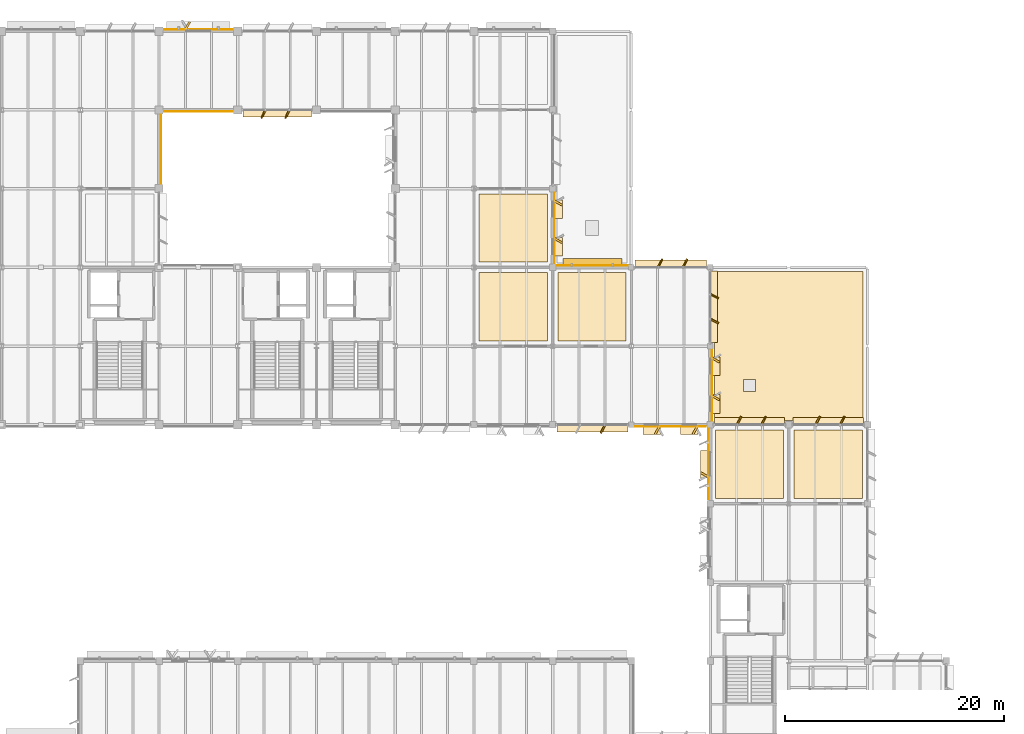
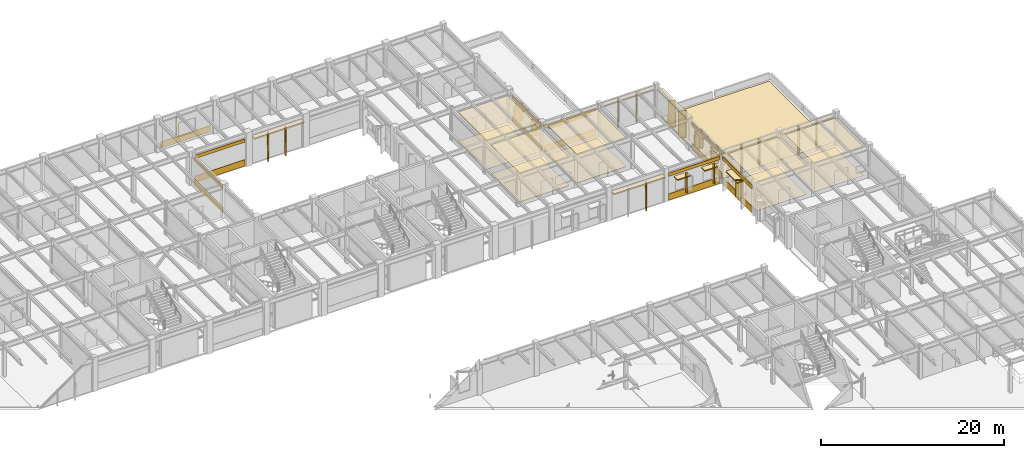
# One storey, part 90 of 92: 58 coverings, 1 shading device.
"""IFC4 building model written with IfcOpenShell, lengths in metres."""

from ifc_helpers import new_model, si_unit, direction, frame, frame_2d, origin, origin_2d, place, context, subcontext, project, spatial, polyline, rectangle, outline, extrude, material, layer, layer_set, type_object, element, save


model = new_model("IFC4")

# Units and contexts
model_context = context("Model", 3, precision=1e-05, world=origin(), true_north=direction((0.0, 1.0)))
body_context = subcontext(model_context, "Body", "Model", "MODEL_VIEW")
ifc_project = project(units=[si_unit("LENGTHUNIT", "METRE"), si_unit("AREAUNIT", "SQUARE_METRE"), si_unit("VOLUMEUNIT", "CUBIC_METRE"), si_unit("PLANEANGLEUNIT", "RADIAN"), si_unit("MASSUNIT", "GRAM", prefix="KILO")], contexts=[model_context])

# Site, building, storey
site_placement = place(None, origin())
site = spatial("IfcSite", under=ifc_project, at=site_placement, CompositionType="ELEMENT")
building_placement = place(site_placement, origin())
building = spatial("IfcBuilding", under=site, at=building_placement, Name="Sillqori Civic Hall", CompositionType="ELEMENT")
storey_placement = place(building_placement, frame((0.0, 0.0, 5.39990234375)))
storey = spatial("IfcBuildingStorey", under=building, at=storey_placement, Name="L02", CompositionType="ELEMENT", Elevation=5.39990234375)

# Coverings
ifc_material_1 = material(Name="Chamber Acoustic Coffer Liner 84", Category="timber")
ifc_layer_1 = layer(ifc_material_1, 0.083984375)
ifc_layer_set_1 = layer_set([ifc_layer_1], Name="Chamber Acoustic Coffer Liner 84")
covering_type_1 = type_object("IfcCoveringType", Name="COV-CEIL-M84", PredefinedType="CEILING", material=ifc_layer_set_1)
covering_1_placement = place(storey_placement, frame((0.0, 0.0, 3.817138671875)))
element("IfcCovering", 1, at=covering_1_placement, inside=storey, type_object=covering_type_1, Name="Environmental Licensing Review Office L02-11 acoustic ceiling", PredefinedType="CEILING", context=body_context, shape_type="SweptSolid", body=[
    extrude(outline(polyline([(108.47998046875, 86.8798828125), (114.719970703125, 86.8798828125), (114.719970703125, 93.1201171875), (108.47998046875, 93.1201171875), (108.47998046875, 86.8798828125)])), origin(), (0.0, 0.0, 1.0), 0.083984375),
])
ifc_material_2 = material(Name="Micro-Perforated Aluminium Plank Ceiling", Category="aluminium")
ifc_layer_2 = layer(ifc_material_2, 0.035888671875)
ifc_layer_set_2 = layer_set([ifc_layer_2], Name="Micro-Perforated Aluminium Plank Ceiling")
covering_type_2 = type_object("IfcCoveringType", Name="COV-CEIL-MET", PredefinedType="CEILING", material=ifc_layer_set_2)
covering_2_placement = place(storey_placement, frame((0.0, 0.0, 3.864990234375)))
element("IfcCovering", 2, at=covering_2_placement, inside=storey, type_object=covering_type_2, Name="Legislative Reference Research Carrels acoustic ceiling", PredefinedType="CEILING", context=body_context, shape_type="SweptSolid", body=[
    extrude(outline(polyline([(130.080078125, 72.47998046875), (136.320068359375, 72.47998046875), (136.320068359375, 78.719970703125), (130.080078125, 78.719970703125), (130.080078125, 72.47998046875)])), origin(), (0.0, 0.0, 1.0), 0.0361328125),
])
ifc_material_3 = material(Name="Andean Cedar Slatted Baffle 52", Category="timber")
ifc_layer_3 = layer(ifc_material_3, 0.052001953125)
ifc_layer_set_3 = layer_set([ifc_layer_3], Name="Andean Cedar Slatted Baffle 52")
covering_type_3 = type_object("IfcCoveringType", Name="COV-CEIL-T52", PredefinedType="CEILING", material=ifc_layer_set_3)
covering_3_placement = place(storey_placement, frame((0.0, 0.0, 3.84912109375)))
element("IfcCovering", 3, at=covering_3_placement, inside=storey, type_object=covering_type_3, Name="Staff Seminar and Civic Training Classroom L02-08 acoustic ceiling", PredefinedType="CEILING", context=body_context, shape_type="SweptSolid", body=[
    extrude(outline(polyline([(101.280029296875, 86.8798828125), (107.52001953125, 86.8798828125), (107.52001953125, 93.1201171875), (101.280029296875, 93.1201171875), (101.280029296875, 86.8798828125)])), origin(), (0.0, 0.0, 1.0), 0.052001953125),
])
ifc_material_4 = material(Name="Andean Cedar Deep Baffle 58", Category="timber")
ifc_layer_4 = layer(ifc_material_4, 0.05810546875)
ifc_layer_set_4 = layer_set([ifc_layer_4], Name="Andean Cedar Deep Baffle 58")
covering_type_4 = type_object("IfcCoveringType", Name="COV-CEIL-T58", PredefinedType="CEILING", material=ifc_layer_set_4)
covering_4_placement = place(storey_placement, frame((0.0, 0.0, 3.843017578125)))
element("IfcCovering", 4, at=covering_4_placement, inside=storey, type_object=covering_type_4, Name="Urban Mobility and Transport Directorate L02-09 acoustic ceiling", PredefinedType="CEILING", context=body_context, shape_type="SweptSolid", body=[
    extrude(outline(polyline([(101.280029296875, 94.080078125), (107.52001953125, 94.080078125), (107.52001953125, 100.320068359375), (101.280029296875, 100.320068359375), (101.280029296875, 94.080078125)])), origin(), (0.0, 0.0, 1.0), 0.05810546875),
])
ifc_material_5 = material(Name="Slatted Andean Cedar Acoustic Baffle", Category="timber")
ifc_layer_5 = layer(ifc_material_5, 0.0419921875)
ifc_layer_set_5 = layer_set([ifc_layer_5], Name="Slatted Andean Cedar Acoustic Baffle")
covering_type_5 = type_object("IfcCoveringType", Name="COV-CEIL-TIM", PredefinedType="CEILING", material=ifc_layer_set_5)
covering_5_placement = place(storey_placement, frame((0.0, 0.0, 3.859130859375)))
element("IfcCovering", 5, at=covering_5_placement, inside=storey, type_object=covering_type_5, Name="Library Open Book Stacks North acoustic ceiling", PredefinedType="CEILING", context=body_context, shape_type="SweptSolid", body=[
    extrude(outline(polyline([(122.8798828125, 72.47998046875), (129.1201171875, 72.47998046875), (129.1201171875, 78.719970703125), (122.8798828125, 78.719970703125), (122.8798828125, 72.47998046875)])), origin(), (0.0, 0.0, 1.0), 0.0419921875),
])
ifc_material_6 = material(Name="Cochabamba Honed Limestone Cladding", Category="masonry")
ifc_layer_6 = layer(ifc_material_6, 0.044921875)
ifc_layer_set_6 = layer_set([ifc_layer_6], Name="Cochabamba Honed Limestone Cladding")
covering_type_6 = type_object("IfcCoveringType", Name="COV-CLAD-LIME", PredefinedType="CLADDING", material=ifc_layer_set_6)
covering_6_placement = place(storey_placement, frame((72.159912109375, 107.544921875, 0.0400390625), z_axis=(0.0, 0.0, 1.0), x_axis=(0.0, -1.0, 0.0)))
element("IfcCovering", 6, at=covering_6_placement, inside=storey, type_object=covering_type_6, Name="L02 limestone spandrel cladding L02-09-14-E", PredefinedType="CLADDING", context=body_context, shape_type="SweptSolid", body=[
    extrude(rectangle(XDim=6.2900390625, YDim=0.044921875, at=frame_2d((3.14501953125, 0.0))), origin(), (0.0, 0.0, 1.0), 0.860107421875),
])
covering_7_placement = place(storey_placement, frame((72.159912109375, 107.544921875, 3.22021484375), z_axis=(0.0, 0.0, 1.0), x_axis=(0.0, -1.0, 0.0)))
element("IfcCovering", 7, at=covering_7_placement, inside=storey, type_object=covering_type_6, Name="L02 limestone frieze cladding L02-09-14-E", PredefinedType="CLADDING", context=body_context, shape_type="SweptSolid", body=[
    extrude(rectangle(XDim=6.2900390625, YDim=0.044921875, at=frame_2d((3.14501953125, 0.0))), origin(), (0.0, 0.0, 1.0), 0.5068359375),
])
covering_8_placement = place(storey_placement, frame((78.7451171875, 107.840087890625, 0.0400390625), z_axis=(0.0, 0.0, 1.0), x_axis=(-1.0, 0.0, 0.0)))
element("IfcCovering", 8, at=covering_8_placement, inside=storey, type_object=covering_type_6, Name="L02 limestone spandrel cladding L02-10-15-S", PredefinedType="CLADDING", context=body_context, shape_type="SweptSolid", body=[
    extrude(rectangle(XDim=6.2900390625, YDim=0.044921875, at=frame_2d((3.14501953125, 0.0))), origin(), (0.0, 0.0, 1.0), 0.860107421875),
])
covering_9_placement = place(storey_placement, frame((78.7451171875, 107.840087890625, 3.22021484375), z_axis=(0.0, 0.0, 1.0), x_axis=(-1.0, 0.0, 0.0)))
element("IfcCovering", 9, at=covering_9_placement, inside=storey, type_object=covering_type_6, Name="L02 limestone frieze cladding L02-10-15-S", PredefinedType="CLADDING", context=body_context, shape_type="SweptSolid", body=[
    extrude(rectangle(XDim=6.2900390625, YDim=0.044921875, at=frame_2d((3.14501953125, 0.0))), origin(), (0.0, 0.0, 1.0), 0.43798828125),
])
covering_10_placement = place(storey_placement, frame((72.455078125, 115.360107421875, 0.0400390625), z_axis=(0.0, 0.0, 1.0), x_axis=(1.0, 0.0, 0.0)))
element("IfcCovering", 10, at=covering_10_placement, inside=storey, type_object=covering_type_6, Name="L02 limestone spandrel cladding L02-10-15-N", PredefinedType="CLADDING", context=body_context, shape_type="SweptSolid", body=[
    extrude(rectangle(XDim=6.2900390625, YDim=0.044921875, at=frame_2d((3.14501953125, 0.0))), origin(), (0.0, 0.0, 1.0), 0.860107421875),
])
covering_11_placement = place(storey_placement, frame((74.3798828125, 115.320068359375, 0.830078125), z_axis=(0.0, 0.0, 1.0), x_axis=(0.500062241894, 0.865989465428, 0.0)))
element("IfcCovering", 11, at=covering_11_placement, inside=storey, type_object=covering_type_6, Name="Sawtooth limestone angled reveal cheek L02-10-15-N.1", PredefinedType="CLADDING", context=body_context, shape_type="SweptSolid", body=[
    extrude(rectangle(XDim=0.85009765625, YDim=0.179931640625, at=frame_2d((0.425048828125, 0.0))), origin(), (0.0, 0.0, 1.0), 2.199951171875),
])
covering_12_placement = place(storey_placement, frame((85.945068359375, 107.679931640625, 3.51806640625), z_axis=(0.0, 0.0, 1.0), x_axis=(-1.0, 0.0, 0.0)))
element("IfcCovering", 12, at=covering_12_placement, inside=storey, type_object=covering_type_6, Name="L02 curtain-wall limestone solar hood L02-11-15-S", PredefinedType="CLADDING", context=body_context, shape_type="SweptSolid", body=[
    extrude(rectangle(XDim=6.2900390625, YDim=0.679931640625, at=frame_2d((3.14501953125, 0.0))), origin(), (0.0, 0.0, 1.0), 0.179931640625),
])
for number, where, z_axis, x_axis, name in (
    (13, (83.896484375, 107.949951171875, 0.06005859375), (0.0, 0.0, 1.0), (-0.44709226377, -0.894487846579, 0.0), "L02 curtain-wall angled stone fin L02-11-15-S.1"),
    (14, (81.70361328125, 107.949951171875, 0.06005859375), (0.0, 0.0, 1.0), (-0.447334902547, -0.894366527193, 0.0), "L02 curtain-wall angled stone fin L02-11-15-S.2"),
):
    element("IfcCovering", number, at=place(storey_placement, frame(where, z_axis=z_axis, x_axis=x_axis)), inside=storey, type_object=covering_type_6, Name=name, PredefinedType="CLADDING", context=body_context, shape_type="SweptSolid", body=[
        extrude(rectangle(XDim=0.804931640625, YDim=0.139892578125, at=frame_2d((0.40234375, 0.0))), origin(), (0.0, 0.0, 1.0), 3.4580078125),
    ])
covering_13_placement = place(storey_placement, frame((108.159912109375, 100.419921875, 0.0400390625), z_axis=(0.0, 0.0, 1.0), x_axis=(0.0, -1.0, 0.0)))
element("IfcCovering", 15, at=covering_13_placement, inside=storey, type_object=covering_type_6, Name="L02 limestone spandrel cladding L02-14-13-E", PredefinedType="CLADDING", context=body_context, shape_type="SweptSolid", body=[
    extrude(rectangle(XDim=6.43994140625, YDim=0.044921875, at=frame_2d((3.219970703125, 0.0))), origin(), (0.0, 0.0, 1.0), 0.860107421875),
])
covering_14_placement = place(storey_placement, frame((108.159912109375, 100.419921875, 3.22021484375), z_axis=(0.0, 0.0, 1.0), x_axis=(0.0, -1.0, 0.0)))
element("IfcCovering", 16, at=covering_14_placement, inside=storey, type_object=covering_type_6, Name="L02 limestone frieze cladding L02-14-13-E", PredefinedType="CLADDING", context=body_context, shape_type="SweptSolid", body=[
    extrude(rectangle(XDim=6.43994140625, YDim=0.044921875, at=frame_2d((3.219970703125, 0.0))), origin(), (0.0, 0.0, 1.0), 0.5068359375),
])
covering_15_placement = place(storey_placement, frame((108.1201171875, 99.7109375, 0.830078125), z_axis=(0.0, 0.0, 1.0), x_axis=(0.865989465428, -0.500062241894, 0.0)))
element("IfcCovering", 17, at=covering_15_placement, inside=storey, type_object=covering_type_6, Name="Sawtooth limestone angled reveal cheek L02-14-13-E.1", PredefinedType="CLADDING", context=body_context, shape_type="SweptSolid", body=[
    extrude(rectangle(XDim=0.85009765625, YDim=0.179931640625, at=frame_2d((0.425048828125, 0.0))), origin(), (0.0, 0.0, 1.0), 2.14990234375),
])
covering_16_placement = place(storey_placement, frame((108.5, 99.77099609375, 2.840087890625), z_axis=(0.0, 0.0, 1.0), x_axis=(0.0, -1.0, 0.0)))
element("IfcCovering", 18, at=covering_16_placement, inside=storey, type_object=covering_type_6, Name="Sawtooth limestone window hood L02-14-13-E.1", PredefinedType="CLADDING", context=body_context, shape_type="SweptSolid", body=[
    extrude(rectangle(XDim=1.7099609375, YDim=0.780029296875, at=frame_2d((0.85498046875, 0.0))), origin(), (0.0, 0.0, 1.0), 0.139892578125),
])
covering_17_placement = place(storey_placement, frame((108.1201171875, 96.279052734375, 0.830078125), z_axis=(0.0, 0.0, 1.0), x_axis=(0.865989465428, -0.500062241894, 0.0)))
element("IfcCovering", 19, at=covering_17_placement, inside=storey, type_object=covering_type_6, Name="Sawtooth limestone angled reveal cheek L02-14-13-E.2", PredefinedType="CLADDING", context=body_context, shape_type="SweptSolid", body=[
    extrude(rectangle(XDim=0.85009765625, YDim=0.179931640625, at=frame_2d((0.425048828125, 0.0))), origin(), (0.0, 0.0, 1.0), 2.14990234375),
])
covering_18_placement = place(storey_placement, frame((108.5, 96.339111328125, 2.840087890625), z_axis=(0.0, 0.0, 1.0), x_axis=(0.0, -1.0, 0.0)))
element("IfcCovering", 20, at=covering_18_placement, inside=storey, type_object=covering_type_6, Name="Sawtooth limestone window hood L02-14-13-E.2", PredefinedType="CLADDING", context=body_context, shape_type="SweptSolid", body=[
    extrude(rectangle(XDim=1.710205078125, YDim=0.780029296875, at=frame_2d((0.85498046875, 0.0))), origin(), (0.0, 0.0, 1.0), 0.139892578125),
])
covering_19_placement = place(storey_placement, frame((114.8701171875, 78.8798828125, 3.51806640625), z_axis=(0.0, 0.0, 1.0), x_axis=(-1.0, 0.0, 0.0)))
element("IfcCovering", 21, at=covering_19_placement, inside=storey, type_object=covering_type_6, Name="L02 curtain-wall limestone solar hood L02-15-11-S", PredefinedType="CLADDING", context=body_context, shape_type="SweptSolid", body=[
    extrude(rectangle(XDim=6.490234375, YDim=0.679931640625, at=frame_2d((3.2451171875, 0.0))), origin(), (0.0, 0.0, 1.0), 0.179931640625),
])
covering_20_placement = place(storey_placement, frame((112.755615234375, 79.14990234375, 0.06005859375), z_axis=(0.0, 0.0, 1.0), x_axis=(-0.447334902547, -0.894366527193, 0.0)))
element("IfcCovering", 22, at=covering_20_placement, inside=storey, type_object=covering_type_6, Name="L02 curtain-wall angled stone fin L02-15-11-S.1", PredefinedType="CLADDING", context=body_context, shape_type="SweptSolid", body=[
    extrude(rectangle(XDim=0.804931640625, YDim=0.139892578125, at=frame_2d((0.40234375, 0.0))), origin(), (0.0, 0.0, 1.0), 3.4580078125),
])
covering_21_placement = place(storey_placement, frame((108.3798828125, 93.760009765625, 0.0400390625), z_axis=(0.0, 0.0, 1.0), x_axis=(1.0, 0.0, 0.0)))
element("IfcCovering", 23, at=covering_21_placement, inside=storey, type_object=covering_type_6, Name="L02 limestone spandrel cladding L02-15-12-N", PredefinedType="CLADDING", context=body_context, shape_type="SweptSolid", body=[
    extrude(rectangle(XDim=6.490234375, YDim=0.044921875, at=frame_2d((3.2451171875, 0.0))), origin(), (0.0, 0.0, 1.0), 0.860107421875),
])
covering_22_placement = place(storey_placement, frame((108.3798828125, 93.760009765625, 3.22021484375), z_axis=(0.0, 0.0, 1.0), x_axis=(1.0, 0.0, 0.0)))
element("IfcCovering", 24, at=covering_22_placement, inside=storey, type_object=covering_type_6, Name="L02 limestone frieze cladding L02-15-12-N", PredefinedType="CLADDING", context=body_context, shape_type="SweptSolid", body=[
    extrude(rectangle(XDim=6.490234375, YDim=0.044921875, at=frame_2d((3.2451171875, 0.0))), origin(), (0.0, 0.0, 1.0), 0.43798828125),
])
covering_23_placement = place(storey_placement, frame((122.02001953125, 79.0400390625, 0.0400390625), z_axis=(0.0, 0.0, 1.0), x_axis=(-1.0, 0.0, 0.0)))
element("IfcCovering", 25, at=covering_23_placement, inside=storey, type_object=covering_type_6, Name="L02 limestone spandrel cladding L02-16-11-S", PredefinedType="CLADDING", context=body_context, shape_type="SweptSolid", body=[
    extrude(rectangle(XDim=6.489990234375, YDim=0.044921875, at=frame_2d((3.2451171875, 0.0))), origin(), (0.0, 0.0, 1.0), 0.860107421875),
])
covering_24_placement = place(storey_placement, frame((122.02001953125, 79.0400390625, 3.22021484375), z_axis=(0.0, 0.0, 1.0), x_axis=(-1.0, 0.0, 0.0)))
element("IfcCovering", 26, at=covering_24_placement, inside=storey, type_object=covering_type_6, Name="L02 limestone frieze cladding L02-16-11-S", PredefinedType="CLADDING", context=body_context, shape_type="SweptSolid", body=[
    extrude(rectangle(XDim=6.489990234375, YDim=0.044921875, at=frame_2d((3.2451171875, 0.0))), origin(), (0.0, 0.0, 1.0), 0.43798828125),
])
covering_25_placement = place(storey_placement, frame((121.2490234375, 79.080078125, 0.830078125), z_axis=(0.0, 0.0, 1.0), x_axis=(-0.500062241894, -0.865989465428, 0.0)))
element("IfcCovering", 27, at=covering_25_placement, inside=storey, type_object=covering_type_6, Name="Sawtooth limestone angled reveal cheek L02-16-11-S.1", PredefinedType="CLADDING", context=body_context, shape_type="SweptSolid", body=[
    extrude(rectangle(XDim=0.85009765625, YDim=0.179931640625, at=frame_2d((0.425048828125, 0.0))), origin(), (0.0, 0.0, 1.0), 2.14990234375),
])
covering_26_placement = place(storey_placement, frame((121.30908203125, 78.699951171875, 2.840087890625), z_axis=(0.0, 0.0, 1.0), x_axis=(-1.0, 0.0, 0.0)))
element("IfcCovering", 28, at=covering_26_placement, inside=storey, type_object=covering_type_6, Name="Sawtooth limestone window hood L02-16-11-S.1", PredefinedType="CLADDING", context=body_context, shape_type="SweptSolid", body=[
    extrude(rectangle(XDim=1.610107421875, YDim=0.780029296875, at=frame_2d((0.80517578125, 0.0))), origin(), (0.0, 0.0, 1.0), 0.139892578125),
])
covering_27_placement = place(storey_placement, frame((117.791015625, 79.080078125, 0.830078125), z_axis=(0.0, 0.0, 1.0), x_axis=(-0.500062241894, -0.865989465428, 0.0)))
element("IfcCovering", 29, at=covering_27_placement, inside=storey, type_object=covering_type_6, Name="Sawtooth limestone angled reveal cheek L02-16-11-S.2", PredefinedType="CLADDING", context=body_context, shape_type="SweptSolid", body=[
    extrude(rectangle(XDim=0.85009765625, YDim=0.179931640625, at=frame_2d((0.425048828125, 0.0))), origin(), (0.0, 0.0, 1.0), 2.14990234375),
])
covering_28_placement = place(storey_placement, frame((117.85107421875, 78.699951171875, 2.840087890625), z_axis=(0.0, 0.0, 1.0), x_axis=(-1.0, 0.0, 0.0)))
element("IfcCovering", 30, at=covering_28_placement, inside=storey, type_object=covering_type_6, Name="Sawtooth limestone window hood L02-16-11-S.2", PredefinedType="CLADDING", context=body_context, shape_type="SweptSolid", body=[
    extrude(rectangle(XDim=1.610107421875, YDim=0.780029296875, at=frame_2d((0.80517578125, 0.0))), origin(), (0.0, 0.0, 1.0), 0.139892578125),
])
covering_29_placement = place(storey_placement, frame((122.56005859375, 86.070068359375, 0.0400390625), z_axis=(0.0, 0.0, 1.0), x_axis=(0.0, -1.0, 0.0)))
element("IfcCovering", 31, at=covering_29_placement, inside=storey, type_object=covering_type_6, Name="L02 limestone spandrel cladding L02-16-11-E", PredefinedType="CLADDING", context=body_context, shape_type="SweptSolid", body=[
    extrude(rectangle(XDim=6.489990234375, YDim=0.044921875, at=frame_2d((3.2451171875, 0.0))), origin(), (0.0, 0.0, 1.0), 0.860107421875),
])
covering_30_placement = place(storey_placement, frame((122.56005859375, 86.070068359375, 3.22021484375), z_axis=(0.0, 0.0, 1.0), x_axis=(0.0, -1.0, 0.0)))
element("IfcCovering", 32, at=covering_30_placement, inside=storey, type_object=covering_type_6, Name="L02 limestone frieze cladding L02-16-11-E", PredefinedType="CLADDING", context=body_context, shape_type="SweptSolid", body=[
    extrude(rectangle(XDim=6.489990234375, YDim=0.044921875, at=frame_2d((3.2451171875, 0.0))), origin(), (0.0, 0.0, 1.0), 0.5068359375),
])
covering_31_placement = place(storey_placement, frame((122.52001953125, 85.34912109375, 0.830078125), z_axis=(0.0, 0.0, 1.0), x_axis=(0.865989465428, -0.500062241894, 0.0)))
element("IfcCovering", 33, at=covering_31_placement, inside=storey, type_object=covering_type_6, Name="Sawtooth limestone angled reveal cheek L02-16-11-E.1", PredefinedType="CLADDING", context=body_context, shape_type="SweptSolid", body=[
    extrude(rectangle(XDim=0.85009765625, YDim=0.179931640625, at=frame_2d((0.425048828125, 0.0))), origin(), (0.0, 0.0, 1.0), 2.14990234375),
])
covering_32_placement = place(storey_placement, frame((122.89990234375, 85.408935546875, 2.840087890625), z_axis=(0.0, 0.0, 1.0), x_axis=(0.0, -1.0, 0.0)))
element("IfcCovering", 34, at=covering_32_placement, inside=storey, type_object=covering_type_6, Name="Sawtooth limestone window hood L02-16-11-E.1", PredefinedType="CLADDING", context=body_context, shape_type="SweptSolid", body=[
    extrude(rectangle(XDim=1.7099609375, YDim=0.780029296875, at=frame_2d((0.85498046875, 0.0))), origin(), (0.0, 0.0, 1.0), 0.139892578125),
])
covering_33_placement = place(storey_placement, frame((122.52001953125, 81.89111328125, 0.830078125), z_axis=(0.0, 0.0, 1.0), x_axis=(0.865989465428, -0.500062241894, 0.0)))
element("IfcCovering", 35, at=covering_33_placement, inside=storey, type_object=covering_type_6, Name="Sawtooth limestone angled reveal cheek L02-16-11-E.2", PredefinedType="CLADDING", context=body_context, shape_type="SweptSolid", body=[
    extrude(rectangle(XDim=0.85009765625, YDim=0.179931640625, at=frame_2d((0.425048828125, 0.0))), origin(), (0.0, 0.0, 1.0), 2.14990234375),
])
covering_34_placement = place(storey_placement, frame((122.89990234375, 81.950927734375, 2.840087890625), z_axis=(0.0, 0.0, 1.0), x_axis=(0.0, -1.0, 0.0)))
element("IfcCovering", 36, at=covering_34_placement, inside=storey, type_object=covering_type_6, Name="Sawtooth limestone window hood L02-16-11-E.2", PredefinedType="CLADDING", context=body_context, shape_type="SweptSolid", body=[
    extrude(rectangle(XDim=1.7099609375, YDim=0.780029296875, at=frame_2d((0.85498046875, 0.0))), origin(), (0.0, 0.0, 1.0), 0.139892578125),
])
covering_35_placement = place(storey_placement, frame((115.530029296875, 93.919921875, 3.51806640625), z_axis=(0.0, 0.0, 1.0), x_axis=(1.0, 0.0, 0.0)))
element("IfcCovering", 37, at=covering_35_placement, inside=storey, type_object=covering_type_6, Name="L02 curtain-wall limestone solar hood L02-16-12-N", PredefinedType="CLADDING", context=body_context, shape_type="SweptSolid", body=[
    extrude(rectangle(XDim=6.5400390625, YDim=0.679931640625, at=frame_2d((3.27001953125, 0.0))), origin(), (0.0, 0.0, 1.0), 0.179931640625),
])
for number, where, z_axis, x_axis, name in (
    (38, (117.660888671875, 93.64990234375, 0.06005859375), (0.0, 0.0, 1.0), (0.4472135955, 0.894427191, 0.0), "L02 curtain-wall angled stone fin L02-16-12-N.1"),
    (39, (119.93896484375, 93.64990234375, 0.06005859375), (0.0, 0.0, 1.0), (0.4472135955, 0.894427191, 0.0), "L02 curtain-wall angled stone fin L02-16-12-N.2"),
):
    element("IfcCovering", number, at=place(storey_placement, frame(where, z_axis=z_axis, x_axis=x_axis)), inside=storey, type_object=covering_type_6, Name=name, PredefinedType="CLADDING", context=body_context, shape_type="SweptSolid", body=[
        extrude(rectangle(XDim=0.80517578125, YDim=0.139892578125, at=frame_2d((0.402587890625, 0.0))), origin(), (0.0, 0.0, 1.0), 3.4580078125),
    ])
covering_36_placement = place(storey_placement, frame((122.719970703125, 93.27001953125, 3.587158203125), z_axis=(0.0, 0.0, 1.0), x_axis=(0.0, -1.0, 0.0)))
element("IfcCovering", 40, at=covering_36_placement, inside=storey, type_object=covering_type_6, Name="L02 curtain-wall limestone solar hood L02-16-12-E", PredefinedType="CLADDING", context=body_context, shape_type="SweptSolid", body=[
    extrude(rectangle(XDim=6.5400390625, YDim=0.679931640625, at=frame_2d((3.27001953125, 0.0))), origin(), (0.0, 0.0, 1.0), 0.179931640625),
])
for number, where, z_axis, x_axis, name in (
    (41, (122.449951171875, 91.138916015625, 0.06005859375), (0.0, 0.0, 1.0), (0.894487846579, -0.44709226377, 0.0), "L02 curtain-wall angled stone fin L02-16-12-E.1"),
    (42, (122.449951171875, 88.861083984375, 0.06005859375), (0.0, 0.0, 1.0), (0.894366527193, -0.447334902547, 0.0), "L02 curtain-wall angled stone fin L02-16-12-E.2"),
):
    element("IfcCovering", number, at=place(storey_placement, frame(where, z_axis=z_axis, x_axis=x_axis)), inside=storey, type_object=covering_type_6, Name=name, PredefinedType="CLADDING", context=body_context, shape_type="SweptSolid", body=[
        extrude(rectangle(XDim=0.804931640625, YDim=0.139892578125, at=frame_2d((0.40234375, 0.0))), origin(), (0.0, 0.0, 1.0), 3.527099609375),
    ])
covering_37_placement = place(storey_placement, frame((122.780029296875, 79.52001953125, 3.508056640625), z_axis=(0.0, 0.0, 1.0), x_axis=(1.0, 0.0, 0.0)))
element("IfcCovering", 43, at=covering_37_placement, inside=storey, type_object=covering_type_6, Name="L02 curtain-wall limestone solar hood L02-17-10-N", PredefinedType="CLADDING", context=body_context, shape_type="SweptSolid", body=[
    extrude(rectangle(XDim=6.43994140625, YDim=0.679931640625, at=frame_2d((3.219970703125, 0.0))), origin(), (0.0, 0.0, 1.0), 0.179931640625),
])
for number, where, z_axis, x_axis, name in (
    (44, (124.8779296875, 79.25, 0.06005859375), (0.0, 0.0, 1.0), (0.447334902547, 0.894366527193, 0.0), "L02 curtain-wall angled stone fin L02-17-10-N.1"),
    (45, (127.1220703125, 79.25, 0.06005859375), (0.0, 0.0, 1.0), (0.44709226377, 0.894487846579, 0.0), "L02 curtain-wall angled stone fin L02-17-10-N.2"),
):
    element("IfcCovering", number, at=place(storey_placement, frame(where, z_axis=z_axis, x_axis=x_axis)), inside=storey, type_object=covering_type_6, Name=name, PredefinedType="CLADDING", context=body_context, shape_type="SweptSolid", body=[
        extrude(rectangle(XDim=0.804931640625, YDim=0.139892578125, at=frame_2d((0.40234375, 0.0))), origin(), (0.0, 0.0, 1.0), 3.447998046875),
    ])
covering_38_placement = place(storey_placement, frame((122.22998046875, 72.3798828125, 0.0400390625), z_axis=(0.0, 0.0, 1.0), x_axis=(0.0, 1.0, 0.0)))
element("IfcCovering", 46, at=covering_38_placement, inside=storey, type_object=covering_type_6, Name="L02 limestone spandrel cladding L02-17-10-W", PredefinedType="CLADDING", context=body_context, shape_type="SweptSolid", body=[
    extrude(rectangle(XDim=6.440185546875, YDim=0.044921875, at=frame_2d((3.22021484375, 0.0))), origin(), (0.0, 0.0, 1.0), 0.860107421875),
])
covering_39_placement = place(storey_placement, frame((122.22998046875, 72.3798828125, 3.22021484375), z_axis=(0.0, 0.0, 1.0), x_axis=(0.0, 1.0, 0.0)))
element("IfcCovering", 47, at=covering_39_placement, inside=storey, type_object=covering_type_6, Name="L02 limestone frieze cladding L02-17-10-W", PredefinedType="CLADDING", context=body_context, shape_type="SweptSolid", body=[
    extrude(rectangle(XDim=6.440185546875, YDim=0.044921875, at=frame_2d((3.22021484375, 0.0))), origin(), (0.0, 0.0, 1.0), 0.5068359375),
])
covering_40_placement = place(storey_placement, frame((122.27001953125, 74.405029296875, 0.830078125), z_axis=(0.0, 0.0, 1.0), x_axis=(-0.865989465428, 0.500062241894, 0.0)))
element("IfcCovering", 48, at=covering_40_placement, inside=storey, type_object=covering_type_6, Name="Sawtooth limestone angled reveal cheek L02-17-10-W.1", PredefinedType="CLADDING", context=body_context, shape_type="SweptSolid", body=[
    extrude(rectangle(XDim=0.85009765625, YDim=0.179931640625, at=frame_2d((0.425048828125, 0.0))), origin(), (0.0, 0.0, 1.0), 2.35009765625),
])
covering_41_placement = place(storey_placement, frame((121.889892578125, 74.344970703125, 3.0400390625), z_axis=(0.0, 0.0, 1.0), x_axis=(0.0, 1.0, 0.0)))
element("IfcCovering", 49, at=covering_41_placement, inside=storey, type_object=covering_type_6, Name="Sawtooth limestone window hood L02-17-10-W.1", PredefinedType="CLADDING", context=body_context, shape_type="SweptSolid", body=[
    extrude(rectangle(XDim=2.510009765625, YDim=0.780029296875, at=frame_2d((1.2548828125, 0.0))), origin(), (0.0, 0.0, 1.0), 0.14013671875),
])
covering_42_placement = place(storey_placement, frame((129.97998046875, 79.52001953125, 3.508056640625), z_axis=(0.0, 0.0, 1.0), x_axis=(1.0, 0.0, 0.0)))
element("IfcCovering", 50, at=covering_42_placement, inside=storey, type_object=covering_type_6, Name="L02 curtain-wall limestone solar hood L02-18-10-N", PredefinedType="CLADDING", context=body_context, shape_type="SweptSolid", body=[
    extrude(rectangle(XDim=6.43994140625, YDim=0.679931640625, at=frame_2d((3.219970703125, 0.0))), origin(), (0.0, 0.0, 1.0), 0.179931640625),
])
for number, where, z_axis, x_axis, name in (
    (51, (132.077880859375, 79.25, 0.06005859375), (0.0, 0.0, 1.0), (0.447334902547, 0.894366527193, 0.0), "L02 curtain-wall angled stone fin L02-18-10-N.1"),
    (52, (134.322021484375, 79.25, 0.06005859375), (0.0, 0.0, 1.0), (0.44709226377, 0.894487846579, 0.0), "L02 curtain-wall angled stone fin L02-18-10-N.2"),
):
    element("IfcCovering", number, at=place(storey_placement, frame(where, z_axis=z_axis, x_axis=x_axis)), inside=storey, type_object=covering_type_6, Name=name, PredefinedType="CLADDING", context=body_context, shape_type="SweptSolid", body=[
        extrude(rectangle(XDim=0.804931640625, YDim=0.139892578125, at=frame_2d((0.40234375, 0.0))), origin(), (0.0, 0.0, 1.0), 3.447998046875),
    ])
ifc_material_7 = material(Name="Dust-Sealed Heavy-Duty Archive Epoxy", Category="resin")
ifc_layer_7 = layer(ifc_material_7, 0.014892578125)
ifc_layer_set_7 = layer_set([ifc_layer_7], Name="Dust-Sealed Heavy-Duty Archive Epoxy")
covering_type_7 = type_object("IfcCoveringType", Name="COV-FLR-EPX", PredefinedType="FLOORING", material=ifc_layer_set_7)
covering_43_placement = place(storey_placement, origin())
element("IfcCovering", 53, at=covering_43_placement, inside=storey, type_object=covering_type_7, Name="Legislative Reference Research Carrels floor finish", PredefinedType="FLOORING", context=body_context, shape_type="SweptSolid", body=[
    extrude(outline(polyline([(130.080078125, 72.47998046875), (136.320068359375, 72.47998046875), (136.320068359375, 78.719970703125), (130.080078125, 78.719970703125), (130.080078125, 72.47998046875)])), origin(), (0.0, 0.0, 1.0), 0.01513671875),
])
ifc_material_8 = material(Name="Engineered Tajibo Hardwood Flooring", Category="wood")
ifc_layer_8 = layer(ifc_material_8, 0.02587890625)
ifc_layer_set_8 = layer_set([ifc_layer_8], Name="Engineered Tajibo Hardwood Flooring")
covering_type_8 = type_object("IfcCoveringType", Name="COV-FLR-PRQ", PredefinedType="FLOORING", material=ifc_layer_set_8)
covering_44_placement = place(storey_placement, origin())
element("IfcCovering", 54, at=covering_44_placement, inside=storey, type_object=covering_type_8, Name="Library Open Book Stacks North floor finish", PredefinedType="FLOORING", context=body_context, shape_type="SweptSolid", body=[
    extrude(outline(polyline([(122.8798828125, 72.47998046875), (129.1201171875, 72.47998046875), (129.1201171875, 78.719970703125), (122.8798828125, 78.719970703125), (122.8798828125, 72.47998046875)])), origin(), (0.0, 0.0, 1.0), 0.026123046875),
])
ifc_material_9 = material(Name="Heavy Hall Basalt Terrazzo 56", Category="masonry")
ifc_layer_9 = layer(ifc_material_9, 0.055908203125)
ifc_layer_set_9 = layer_set([ifc_layer_9], Name="Heavy Hall Basalt Terrazzo 56")
covering_type_9 = type_object("IfcCoveringType", Name="COV-FLR-S56", PredefinedType="FLOORING", material=ifc_layer_set_9)
covering_45_placement = place(storey_placement, origin())
element("IfcCovering", 55, at=covering_45_placement, inside=storey, type_object=covering_type_9, Name="Staff Seminar and Civic Training Classroom L02-08 floor finish", PredefinedType="FLOORING", context=body_context, shape_type="SweptSolid", body=[
    extrude(outline(polyline([(101.280029296875, 86.8798828125), (107.52001953125, 86.8798828125), (107.52001953125, 93.1201171875), (101.280029296875, 93.1201171875), (101.280029296875, 86.8798828125)])), origin(), (0.0, 0.0, 1.0), 0.05615234375),
])
ifc_material_10 = material(Name="Raised Access Technical Floor Panel 62", Category="stone")
ifc_layer_10 = layer(ifc_material_10, 0.06201171875)
ifc_layer_set_10 = layer_set([ifc_layer_10], Name="Raised Access Technical Floor Panel 62")
covering_type_10 = type_object("IfcCoveringType", Name="COV-FLR-S62", PredefinedType="FLOORING", material=ifc_layer_set_10)
covering_46_placement = place(storey_placement, origin())
element("IfcCovering", 56, at=covering_46_placement, inside=storey, type_object=covering_type_10, Name="Environmental Licensing Review Office L02-11 floor finish", PredefinedType="FLOORING", context=body_context, shape_type="SweptSolid", body=[
    extrude(outline(polyline([(108.47998046875, 86.8798828125), (114.719970703125, 86.8798828125), (114.719970703125, 93.1201171875), (108.47998046875, 93.1201171875), (108.47998046875, 86.8798828125)])), origin(), (0.0, 0.0, 1.0), 0.06201171875),
])
ifc_material_11 = material(Name="Tajibo Parquet Strip Flooring 22", Category="timber")
ifc_layer_11 = layer(ifc_material_11, 0.02197265625)
ifc_layer_set_11 = layer_set([ifc_layer_11], Name="Tajibo Parquet Strip Flooring 22")
covering_type_11 = type_object("IfcCoveringType", Name="COV-FLR-T22", PredefinedType="FLOORING", material=ifc_layer_set_11)
covering_47_placement = place(storey_placement, origin())
element("IfcCovering", 57, at=covering_47_placement, inside=storey, type_object=covering_type_11, Name="Urban Mobility and Transport Directorate L02-09 floor finish", PredefinedType="FLOORING", context=body_context, shape_type="SweptSolid", body=[
    extrude(outline(polyline([(101.280029296875, 94.080078125), (107.52001953125, 94.080078125), (107.52001953125, 100.320068359375), (101.280029296875, 100.320068359375), (101.280029296875, 94.080078125)])), origin(), (0.0, 0.0, 1.0), 0.022216796875),
])
ifc_material_12 = material(Name="Insulated Standing-Seam Solar Roof Membrane", Category="membrane")
ifc_layer_12 = layer(ifc_material_12, 0.054931640625)
ifc_layer_set_12 = layer_set([ifc_layer_12], Name="Insulated Standing-Seam Solar Roof Membrane")
covering_type_12 = type_object("IfcCoveringType", Name="COV-ROOF-TPO", PredefinedType="ROOFING", material=ifc_layer_set_12)
covering_48_placement = place(storey_placement, origin())
element("IfcCovering", 58, at=covering_48_placement, inside=storey, type_object=covering_type_12, Name="L02 insulated TPO roof membrane ROOF-FLAT-L01-5", PredefinedType="ROOFING", context=body_context, shape_type="SweptSolid", body=[
    extrude(outline(polyline([(122.800048828125, 79.60009765625), (136.39990234375, 79.60009765625), (136.39990234375, 93.199951171875), (122.800048828125, 93.199951171875), (122.800048828125, 79.60009765625)]), holes=[polyline([(125.449951171875, 82.25), (125.449951171875, 83.35009765625), (126.550048828125, 83.35009765625), (126.550048828125, 82.25), (125.449951171875, 82.25)])]), origin(), (0.0, 0.0, 1.0), 0.05517578125),
])

# Shading device
ifc_material_13 = material(Name="Anodized Aluminium Solar Control Louvre", Category="aluminium")
shading_device_type = type_object("IfcShadingDeviceType", Name="SHD-HOOD-540", PredefinedType="JALOUSIE", material=ifc_material_13)
shading_device_placement = place(storey_placement, frame((111.625, 94.074951171875, 2.919921875), z_axis=(0.0, 0.0, 1.0), x_axis=(1.0, 0.0, 0.0)))
element("IfcShadingDevice", 59, at=shading_device_placement, inside=storey, type_object=shading_device_type, Name="L02 north solar hood L02-15-12-N", PredefinedType="JALOUSIE", context=body_context, shape_type="SweptSolid", body=[
    extrude(rectangle(XDim=5.39990234375, YDim=0.699951171875, at=origin_2d()), origin(), (0.0, 0.0, 1.0), 0.139892578125),
])

save(model, "model.ifc")
